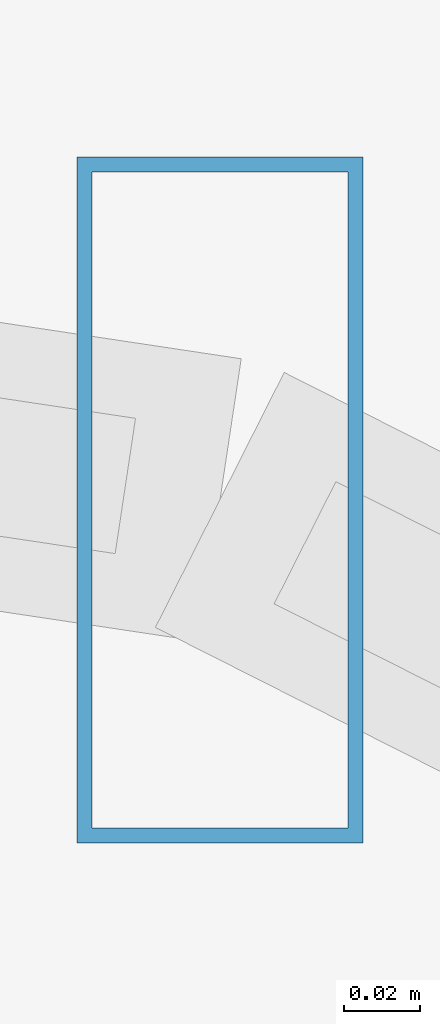
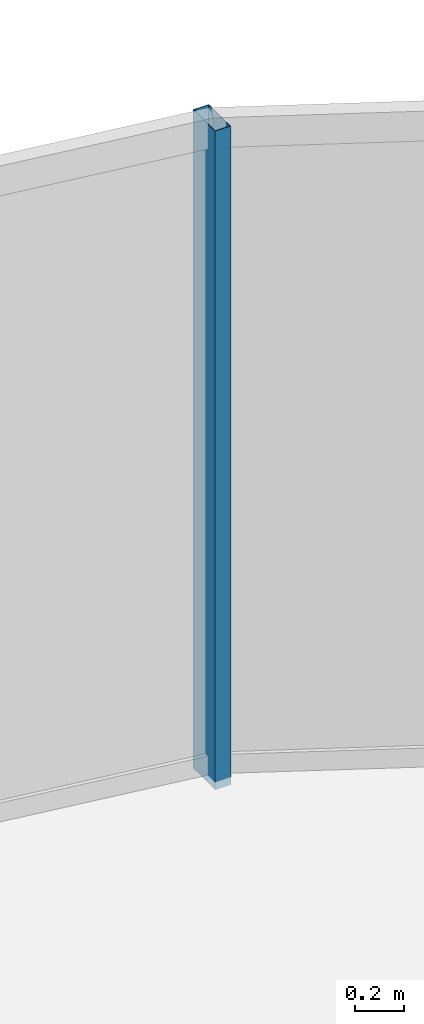
# One storey, part 20 of 30: 1 member, 1 element without a shape of its own.
"""IFC4 building model written with IfcOpenShell, lengths in metres."""

from ifc_helpers import new_model, si_unit, direction, frame, origin, origin_2d, place, context, subcontext, project, spatial, hollow_rectangle, extrude, material, material_profile, profile_set, type_object, element, aggregate, save


model = new_model("IFC4")

# Units and contexts
model_context = context("Model", 3, precision=1e-05, world=origin(), true_north=direction((0.0, 1.0)))
body_context = subcontext(model_context, "Body", "Model", "MODEL_VIEW")
ifc_project = project(units=[si_unit("LENGTHUNIT", "METRE"), si_unit("AREAUNIT", "SQUARE_METRE"), si_unit("VOLUMEUNIT", "CUBIC_METRE"), si_unit("PLANEANGLEUNIT", "RADIAN"), si_unit("MASSUNIT", "GRAM", prefix="KILO")], contexts=[model_context])

# Site, building, storey
site_placement = place(None, origin())
site = spatial("IfcSite", under=ifc_project, at=site_placement, CompositionType="ELEMENT")
building_placement = place(site_placement, origin())
building = spatial("IfcBuilding", under=site, at=building_placement, Name="Vorneva Point Tower", CompositionType="ELEMENT")
storey_placement = place(building_placement, frame((0.0, 0.0, 55.5)))
storey = spatial("IfcBuildingStorey", under=building, at=storey_placement, Name="L14", CompositionType="ELEMENT", Elevation=55.5)

# Curtain wall, member
ifc_material = material(Name="Pale anodised aluminium", Category="aluminium")
curtain_wall_type = type_object("IfcCurtainWallType", Name="CW-HTL-SYS", PredefinedType="NOTDEFINED", material=ifc_material)
curtain_wall_placement = place(storey_placement, origin())
curtain_wall = element("IfcCurtainWall", 1, at=curtain_wall_placement, inside=storey, type_object=curtain_wall_type, Name="L14 Unitised Curtain Wall CW-L14-R02", PredefinedType="NOTDEFINED")
ifc_material_profile = material_profile(ifc_material, hollow_rectangle(XDim=0.074951171875, YDim=0.179931640625, WallThickness=0.00390625, at=origin_2d()), Name="AL-MUL 180x75x4")
ifc_profile_set = profile_set([ifc_material_profile], Name="Pale anodised aluminium")
member_type = type_object("IfcMemberType", Name="CW-MUL-180", PredefinedType="MULLION", material=ifc_profile_set)
member_placement = place(storey_placement, frame((49.308349609375, 46.648681640625, -0.0400390625), z_axis=(0.0, 0.0, 1.0), x_axis=(1.0, 0.0, 0.0)))
member = element("IfcMember", 2, at=member_placement, type_object=member_type, Name="CW-L14-R02 Mullion 02", PredefinedType="MULLION", context=body_context, shape_type="SweptSolid", body=[
    extrude(hollow_rectangle(XDim=0.074951171875, YDim=0.179931640625, WallThickness=0.00390625, at=origin_2d()), origin(), (0.0, 0.0, 1.0), 3.31005859375),
])
aggregate(curtain_wall, [member])

save(model, "model.ifc")
